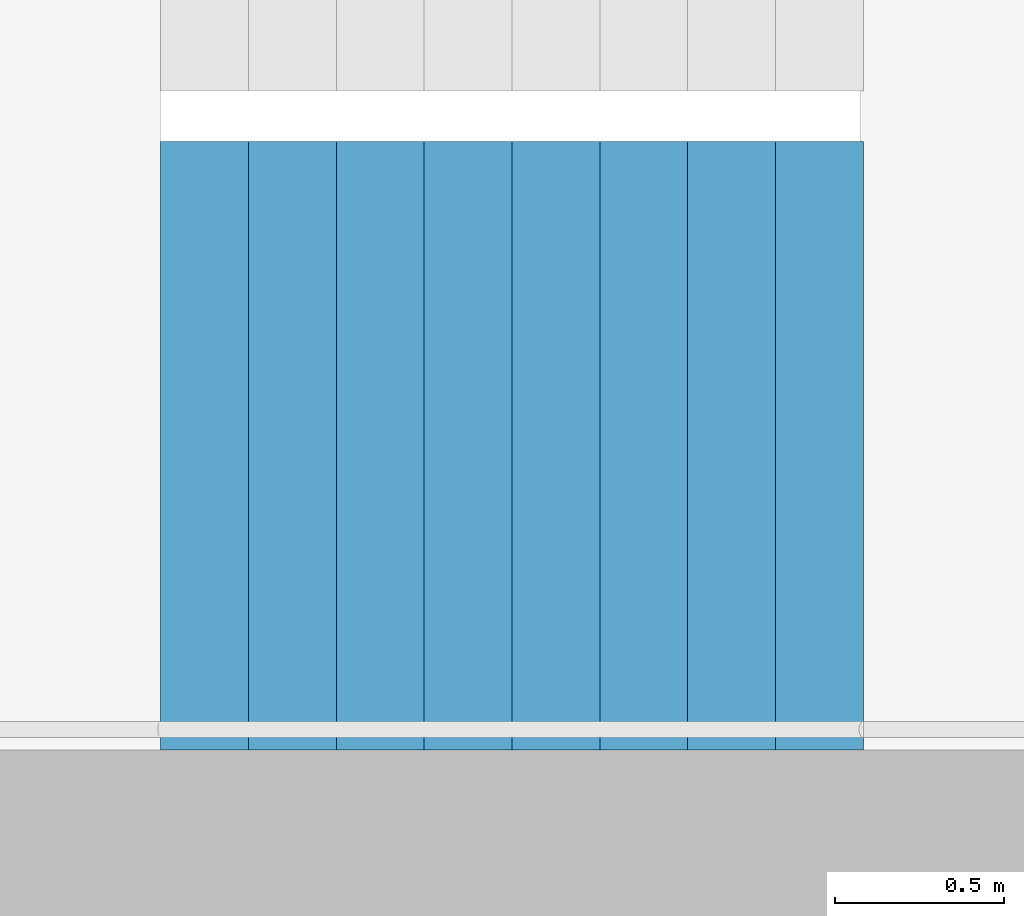
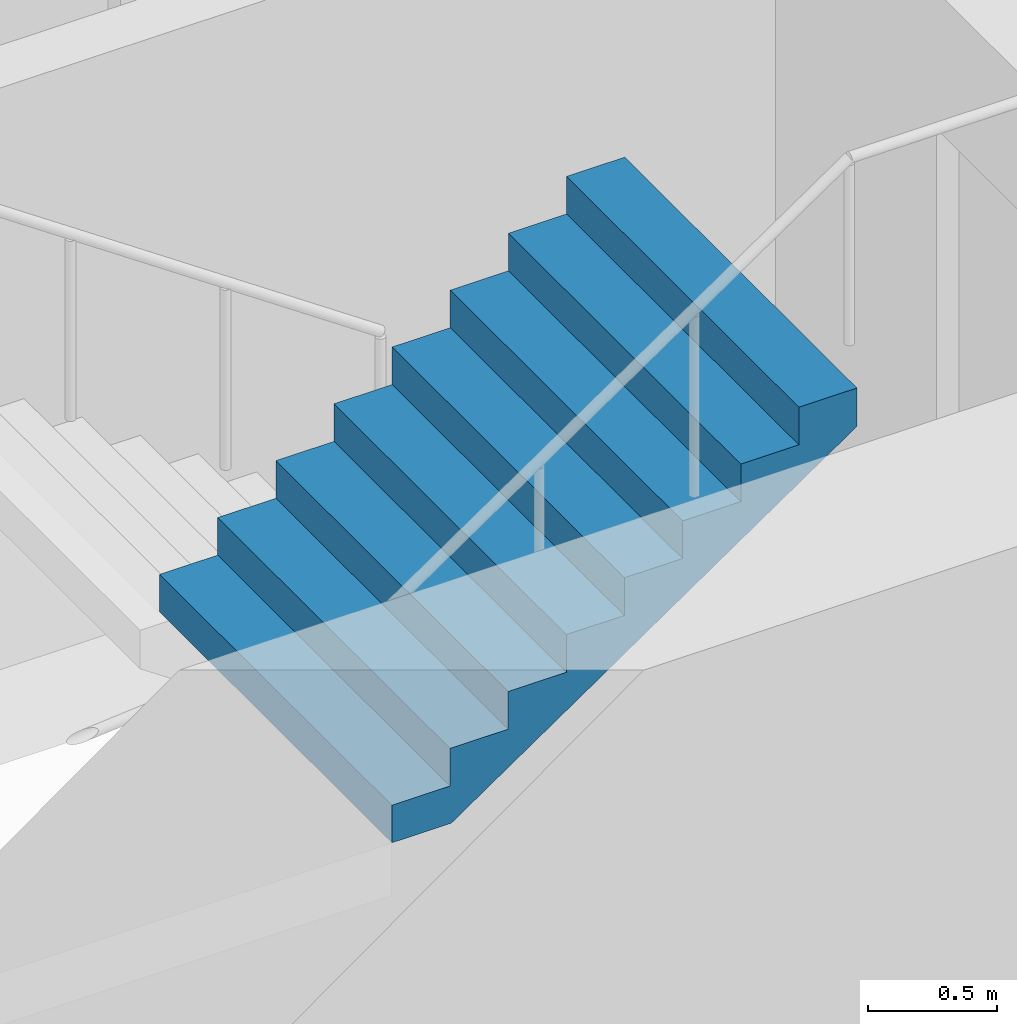
# One storey, part 19 of 27: 1 stair flight, 1 element without a shape of its own.
"""IFC4 building model written with IfcOpenShell, lengths in metres."""

from ifc_helpers import new_model, si_unit, direction, frame, origin, place, context, subcontext, project, spatial, triangles, material, type_object, element, aggregate, save


model = new_model("IFC4")

# Units and contexts
model_context = context("Model", 3, precision=1e-05, world=origin(), true_north=direction((0.0, 1.0)))
body_context = subcontext(model_context, "Body", "Model", "MODEL_VIEW")
ifc_project = project(units=[si_unit("LENGTHUNIT", "METRE"), si_unit("AREAUNIT", "SQUARE_METRE"), si_unit("VOLUMEUNIT", "CUBIC_METRE"), si_unit("PLANEANGLEUNIT", "RADIAN"), si_unit("MASSUNIT", "GRAM", prefix="KILO")], contexts=[model_context])

# Site, building, storey
site_placement = place(None, origin())
site = spatial("IfcSite", under=ifc_project, at=site_placement, CompositionType="ELEMENT")
building_placement = place(site_placement, origin())
building = spatial("IfcBuilding", under=site, at=building_placement, Name="Hakoniwa Tower and Hamabe Station Hall", CompositionType="ELEMENT")
storey_placement = place(building_placement, frame((0.0, 0.0, 166.199951171875)))
storey = spatial("IfcBuildingStorey", under=building, at=storey_placement, Name="L47", CompositionType="ELEMENT", Elevation=166.199951171875)

# Stair, stair flight
ifc_material_1 = material(Name="Concrete C40", Category="concrete")
stair_type = type_object("IfcStairType", Name="ESCAPE STAIR 1800", PredefinedType="HALF_TURN_STAIR", material=ifc_material_1)
stair_placement = place(storey_placement, origin())
stair = element("IfcStair", 1, at=stair_placement, inside=storey, type_object=stair_type, Name="Escape stair ST-2 L47", PredefinedType="HALF_TURN_STAIR")
ifc_material_2 = material(Name="Concrete C40", Category="concrete")
stair_flight_type = type_object("IfcStairFlightType", Name="STAIR FLIGHT 1800", PredefinedType="STRAIGHT", material=ifc_material_2)
stair_flight_placement = place(storey_placement, frame((-25.47998046875, -6.60009765625, 1.60009765625), z_axis=(0.0, 0.0, 1.0), x_axis=(1.0, 0.0, 0.0)))
stair_flight = element("IfcStairFlight", 2, at=stair_flight_placement, type_object=stair_flight_type, Name="ST-2 flight 2", NumberOfRisers=9, NumberOfTreads=8, PredefinedType="STRAIGHT", RiserHeight=0.177777778, TreadLength=0.26, context=body_context, shape_type="Tessellation", body=[
    triangles([(0.0, 0.89990234375, 0.0), (0.260009765625, 0.89990234375, 0.0), (0.265625, 0.89990234375, 0.0), (0.52001953125, 0.89990234375, 0.174072265625), (0.780029296875, 0.89990234375, 0.351806640625), (1.0400390625, 0.89990234375, 0.529541015625), (1.300048828125, 0.89990234375, 0.707275390625), (1.56005859375, 0.89990234375, 0.885009765625), (1.820068359375, 0.89990234375, 1.062744140625), (2.080078125, 0.89990234375, 1.24072265625), (2.080078125, 0.89990234375, 1.422119140625), (1.820068359375, 0.89990234375, 1.422119140625), (1.820068359375, 0.89990234375, 1.244384765625), (1.56005859375, 0.89990234375, 1.244384765625), (1.56005859375, 0.89990234375, 1.066650390625), (1.300048828125, 0.89990234375, 1.066650390625), (1.300048828125, 0.89990234375, 0.888916015625), (1.0400390625, 0.89990234375, 0.888916015625), (1.0400390625, 0.89990234375, 0.711181640625), (0.780029296875, 0.89990234375, 0.711181640625), (0.780029296875, 0.89990234375, 0.533447265625), (0.52001953125, 0.89990234375, 0.533447265625), (0.52001953125, 0.89990234375, 0.35546875), (0.265625, 0.89990234375, 0.35546875), (0.260009765625, 0.89990234375, 0.35546875), (0.260009765625, 0.89990234375, 0.177734375), (0.0, 0.89990234375, 0.177734375), (0.0, 0.06005859375, 0.0), (0.260009765625, 0.06005859375, 0.0), (0.265625, 0.06005859375, 0.0), (0.52001953125, 0.06005859375, 0.174072265625), (0.780029296875, 0.06005859375, 0.351806640625), (1.0400390625, 0.06005859375, 0.529541015625), (1.300048828125, 0.06005859375, 0.707275390625), (1.56005859375, 0.06005859375, 0.885009765625), (1.820068359375, 0.06005859375, 1.062744140625), (2.080078125, 0.06005859375, 1.24072265625), (2.080078125, 0.06005859375, 1.422119140625), (1.820068359375, 0.06005859375, 1.422119140625), (1.820068359375, 0.06005859375, 1.244384765625), (1.56005859375, 0.06005859375, 1.244384765625), (1.56005859375, 0.06005859375, 1.066650390625), (1.300048828125, 0.06005859375, 1.066650390625), (1.300048828125, 0.06005859375, 0.888916015625), (1.0400390625, 0.06005859375, 0.888916015625), (1.0400390625, 0.06005859375, 0.711181640625), (0.780029296875, 0.06005859375, 0.711181640625), (0.780029296875, 0.06005859375, 0.533447265625), (0.52001953125, 0.06005859375, 0.533447265625), (0.52001953125, 0.06005859375, 0.35546875), (0.265625, 0.06005859375, 0.35546875), (0.260009765625, 0.06005859375, 0.35546875), (0.260009765625, 0.06005859375, 0.177734375), (0.0, 0.06005859375, 0.177734375), (0.0, 0.04296875, 0.0), (0.260009765625, 0.04296875, 0.0), (0.265625, 0.04296875, 0.0), (0.52001953125, 0.04296875, 0.174072265625), (0.780029296875, 0.04296875, 0.351806640625), (1.0400390625, 0.04296875, 0.529541015625), (1.300048828125, 0.04296875, 0.707275390625), (1.56005859375, 0.04296875, 0.885009765625), (1.820068359375, 0.04296875, 1.062744140625), (2.080078125, 0.04296875, 1.24072265625), (2.080078125, 0.04296875, 1.422119140625), (1.820068359375, 0.04296875, 1.422119140625), (1.820068359375, 0.04296875, 1.244384765625), (1.56005859375, 0.04296875, 1.244384765625), (1.56005859375, 0.04296875, 1.066650390625), (1.300048828125, 0.04296875, 1.066650390625), (1.300048828125, 0.04296875, 0.888916015625), (1.0400390625, 0.04296875, 0.888916015625), (1.0400390625, 0.04296875, 0.711181640625), (0.780029296875, 0.04296875, 0.711181640625), (0.780029296875, 0.04296875, 0.533447265625), (0.52001953125, 0.04296875, 0.533447265625), (0.52001953125, 0.04296875, 0.35546875), (0.265625, 0.04296875, 0.35546875), (0.260009765625, 0.04296875, 0.35546875), (0.260009765625, 0.04296875, 0.177734375), (0.0, 0.04296875, 0.177734375), (0.0, 0.025634765625, 0.0), (0.260009765625, 0.025634765625, 0.0), (0.265625, 0.025634765625, 0.0), (0.52001953125, 0.025634765625, 0.174072265625), (0.780029296875, 0.025634765625, 0.351806640625), (1.0400390625, 0.025634765625, 0.529541015625), (1.300048828125, 0.025634765625, 0.707275390625), (1.56005859375, 0.025634765625, 0.885009765625), (1.820068359375, 0.025634765625, 1.062744140625), (2.080078125, 0.025634765625, 1.24072265625), (2.080078125, 0.025634765625, 1.422119140625), (1.820068359375, 0.025634765625, 1.422119140625), (1.820068359375, 0.025634765625, 1.244384765625), (1.56005859375, 0.025634765625, 1.244384765625), (1.56005859375, 0.025634765625, 1.066650390625), (1.300048828125, 0.025634765625, 1.066650390625), (1.300048828125, 0.025634765625, 0.888916015625), (1.0400390625, 0.025634765625, 0.888916015625), (1.0400390625, 0.025634765625, 0.711181640625), (0.780029296875, 0.025634765625, 0.711181640625), (0.780029296875, 0.025634765625, 0.533447265625), (0.52001953125, 0.025634765625, 0.533447265625), (0.52001953125, 0.025634765625, 0.35546875), (0.265625, 0.025634765625, 0.35546875), (0.260009765625, 0.025634765625, 0.35546875), (0.260009765625, 0.025634765625, 0.177734375), (0.0, 0.025634765625, 0.177734375), (0.0, 0.008544921875, 0.0), (0.260009765625, 0.008544921875, 0.0), (0.265625, 0.008544921875, 0.0), (0.52001953125, 0.008544921875, 0.174072265625), (0.780029296875, 0.008544921875, 0.351806640625), (1.0400390625, 0.008544921875, 0.529541015625), (1.300048828125, 0.008544921875, 0.707275390625), (1.56005859375, 0.008544921875, 0.885009765625), (1.820068359375, 0.008544921875, 1.062744140625), (2.080078125, 0.008544921875, 1.24072265625), (2.080078125, 0.008544921875, 1.422119140625), (1.820068359375, 0.008544921875, 1.422119140625), (1.820068359375, 0.008544921875, 1.244384765625), (1.56005859375, 0.008544921875, 1.244384765625), (1.56005859375, 0.008544921875, 1.066650390625), (1.300048828125, 0.008544921875, 1.066650390625), (1.300048828125, 0.008544921875, 0.888916015625), (1.0400390625, 0.008544921875, 0.888916015625), (1.0400390625, 0.008544921875, 0.711181640625), (0.780029296875, 0.008544921875, 0.711181640625), (0.780029296875, 0.008544921875, 0.533447265625), (0.52001953125, 0.008544921875, 0.533447265625), (0.52001953125, 0.008544921875, 0.35546875), (0.265625, 0.008544921875, 0.35546875), (0.260009765625, 0.008544921875, 0.35546875), (0.260009765625, 0.008544921875, 0.177734375), (0.0, 0.008544921875, 0.177734375), (0.0, -0.008544921875, 0.0), (0.260009765625, -0.008544921875, 0.0), (0.265625, -0.008544921875, 0.0), (0.52001953125, -0.008544921875, 0.174072265625), (0.780029296875, -0.008544921875, 0.351806640625), (1.0400390625, -0.008544921875, 0.529541015625), (1.300048828125, -0.008544921875, 0.707275390625), (1.56005859375, -0.008544921875, 0.885009765625), (1.820068359375, -0.008544921875, 1.062744140625), (2.080078125, -0.008544921875, 1.24072265625), (2.080078125, -0.008544921875, 1.422119140625), (1.820068359375, -0.008544921875, 1.422119140625), (1.820068359375, -0.008544921875, 1.244384765625), (1.56005859375, -0.008544921875, 1.244384765625), (1.56005859375, -0.008544921875, 1.066650390625), (1.300048828125, -0.008544921875, 1.066650390625), (1.300048828125, -0.008544921875, 0.888916015625), (1.0400390625, -0.008544921875, 0.888916015625), (1.0400390625, -0.008544921875, 0.711181640625), (0.780029296875, -0.008544921875, 0.711181640625), (0.780029296875, -0.008544921875, 0.533447265625), (0.52001953125, -0.008544921875, 0.533447265625), (0.52001953125, -0.008544921875, 0.35546875), (0.265625, -0.008544921875, 0.35546875), (0.260009765625, -0.008544921875, 0.35546875), (0.260009765625, -0.008544921875, 0.177734375), (0.0, -0.008544921875, 0.177734375), (0.0, -0.025634765625, 0.0), (0.260009765625, -0.025634765625, 0.0), (0.265625, -0.025634765625, 0.0), (0.52001953125, -0.025634765625, 0.174072265625), (0.780029296875, -0.025634765625, 0.351806640625), (1.0400390625, -0.025634765625, 0.529541015625), (1.300048828125, -0.025634765625, 0.707275390625), (1.56005859375, -0.025634765625, 0.885009765625), (1.820068359375, -0.025634765625, 1.062744140625), (2.080078125, -0.025634765625, 1.24072265625), (2.080078125, -0.025634765625, 1.422119140625), (1.820068359375, -0.025634765625, 1.422119140625), (1.820068359375, -0.025634765625, 1.244384765625), (1.56005859375, -0.025634765625, 1.244384765625), (1.56005859375, -0.025634765625, 1.066650390625), (1.300048828125, -0.025634765625, 1.066650390625), (1.300048828125, -0.025634765625, 0.888916015625), (1.0400390625, -0.025634765625, 0.888916015625), (1.0400390625, -0.025634765625, 0.711181640625), (0.780029296875, -0.025634765625, 0.711181640625), (0.780029296875, -0.025634765625, 0.533447265625), (0.52001953125, -0.025634765625, 0.533447265625), (0.52001953125, -0.025634765625, 0.35546875), (0.265625, -0.025634765625, 0.35546875), (0.260009765625, -0.025634765625, 0.35546875), (0.260009765625, -0.025634765625, 0.177734375), (0.0, -0.025634765625, 0.177734375), (0.0, -0.04296875, 0.0), (0.260009765625, -0.04296875, 0.0), (0.265625, -0.04296875, 0.0), (0.52001953125, -0.04296875, 0.174072265625), (0.780029296875, -0.04296875, 0.351806640625), (1.0400390625, -0.04296875, 0.529541015625), (1.300048828125, -0.04296875, 0.707275390625), (1.56005859375, -0.04296875, 0.885009765625), (1.820068359375, -0.04296875, 1.062744140625), (2.080078125, -0.04296875, 1.24072265625), (2.080078125, -0.04296875, 1.422119140625), (1.820068359375, -0.04296875, 1.422119140625), (1.820068359375, -0.04296875, 1.244384765625), (1.56005859375, -0.04296875, 1.244384765625), (1.56005859375, -0.04296875, 1.066650390625), (1.300048828125, -0.04296875, 1.066650390625), (1.300048828125, -0.04296875, 0.888916015625), (1.0400390625, -0.04296875, 0.888916015625), (1.0400390625, -0.04296875, 0.711181640625), (0.780029296875, -0.04296875, 0.711181640625), (0.780029296875, -0.04296875, 0.533447265625), (0.52001953125, -0.04296875, 0.533447265625), (0.52001953125, -0.04296875, 0.35546875), (0.265625, -0.04296875, 0.35546875), (0.260009765625, -0.04296875, 0.35546875), (0.260009765625, -0.04296875, 0.177734375), (0.0, -0.04296875, 0.177734375), (0.0, -0.06005859375, 0.0), (0.260009765625, -0.06005859375, 0.0), (0.265625, -0.06005859375, 0.0), (0.52001953125, -0.06005859375, 0.174072265625), (0.780029296875, -0.06005859375, 0.351806640625), (1.0400390625, -0.06005859375, 0.529541015625), (1.300048828125, -0.06005859375, 0.707275390625), (1.56005859375, -0.06005859375, 0.885009765625), (1.820068359375, -0.06005859375, 1.062744140625), (2.080078125, -0.06005859375, 1.24072265625), (2.080078125, -0.06005859375, 1.422119140625), (1.820068359375, -0.06005859375, 1.422119140625), (1.820068359375, -0.06005859375, 1.244384765625), (1.56005859375, -0.06005859375, 1.244384765625), (1.56005859375, -0.06005859375, 1.066650390625), (1.300048828125, -0.06005859375, 1.066650390625), (1.300048828125, -0.06005859375, 0.888916015625), (1.0400390625, -0.06005859375, 0.888916015625), (1.0400390625, -0.06005859375, 0.711181640625), (0.780029296875, -0.06005859375, 0.711181640625), (0.780029296875, -0.06005859375, 0.533447265625), (0.52001953125, -0.06005859375, 0.533447265625), (0.52001953125, -0.06005859375, 0.35546875), (0.265625, -0.06005859375, 0.35546875), (0.260009765625, -0.06005859375, 0.35546875), (0.260009765625, -0.06005859375, 0.177734375), (0.0, -0.06005859375, 0.177734375), (0.0, -0.89990234375, 0.0), (0.260009765625, -0.89990234375, 0.0), (0.265625, -0.89990234375, 0.0), (0.52001953125, -0.89990234375, 0.174072265625), (0.780029296875, -0.89990234375, 0.351806640625), (1.0400390625, -0.89990234375, 0.529541015625), (1.300048828125, -0.89990234375, 0.707275390625), (1.56005859375, -0.89990234375, 0.885009765625), (1.820068359375, -0.89990234375, 1.062744140625), (2.080078125, -0.89990234375, 1.24072265625), (2.080078125, -0.89990234375, 1.422119140625), (1.820068359375, -0.89990234375, 1.422119140625), (1.820068359375, -0.89990234375, 1.244384765625), (1.56005859375, -0.89990234375, 1.244384765625), (1.56005859375, -0.89990234375, 1.066650390625), (1.300048828125, -0.89990234375, 1.066650390625), (1.300048828125, -0.89990234375, 0.888916015625), (1.0400390625, -0.89990234375, 0.888916015625), (1.0400390625, -0.89990234375, 0.711181640625), (0.780029296875, -0.89990234375, 0.711181640625), (0.780029296875, -0.89990234375, 0.533447265625), (0.52001953125, -0.89990234375, 0.533447265625), (0.52001953125, -0.89990234375, 0.35546875), (0.265625, -0.89990234375, 0.35546875), (0.260009765625, -0.89990234375, 0.35546875), (0.260009765625, -0.89990234375, 0.177734375), (0.0, -0.89990234375, 0.177734375)], [[2, 27, 26], [245, 269, 270], [2, 1, 27], [245, 270, 244], [3, 25, 24], [246, 267, 268], [3, 26, 25], [246, 268, 269], [3, 2, 26], [246, 269, 245], [4, 24, 23], [247, 266, 267], [4, 3, 24], [247, 267, 246], [5, 22, 21], [248, 264, 265], [5, 23, 22], [248, 265, 266], [5, 4, 23], [248, 266, 247], [6, 20, 19], [249, 262, 263], [6, 21, 20], [249, 263, 264], [6, 5, 21], [249, 264, 248], [7, 18, 17], [250, 260, 261], [7, 19, 18], [250, 261, 262], [7, 6, 19], [250, 262, 249], [8, 16, 15], [251, 258, 259], [8, 17, 16], [251, 259, 260], [8, 7, 17], [251, 260, 250], [9, 14, 13], [252, 256, 257], [9, 15, 14], [252, 257, 258], [9, 8, 15], [252, 258, 251], [10, 12, 11], [253, 254, 255], [10, 13, 12], [253, 255, 256], [10, 9, 13], [253, 256, 252], [1, 2, 29], [1, 29, 28], [28, 29, 56], [28, 56, 55], [55, 56, 83], [55, 83, 82], [82, 83, 110], [82, 110, 109], [109, 110, 137], [109, 137, 136], [136, 137, 164], [136, 164, 163], [163, 164, 191], [163, 191, 190], [190, 191, 218], [190, 218, 217], [217, 218, 245], [217, 245, 244], [2, 3, 30], [2, 30, 29], [29, 30, 57], [29, 57, 56], [56, 57, 84], [56, 84, 83], [83, 84, 111], [83, 111, 110], [110, 111, 138], [110, 138, 137], [137, 138, 165], [137, 165, 164], [164, 165, 192], [164, 192, 191], [191, 192, 219], [191, 219, 218], [218, 219, 246], [218, 246, 245], [3, 4, 31], [3, 31, 30], [30, 31, 58], [30, 58, 57], [57, 58, 85], [57, 85, 84], [84, 85, 112], [84, 112, 111], [111, 112, 139], [111, 139, 138], [138, 139, 166], [138, 166, 165], [165, 166, 193], [165, 193, 192], [192, 193, 220], [192, 220, 219], [219, 220, 247], [219, 247, 246], [4, 5, 32], [4, 32, 31], [31, 32, 59], [31, 59, 58], [58, 59, 86], [58, 86, 85], [85, 86, 113], [85, 113, 112], [112, 113, 140], [112, 140, 139], [139, 140, 167], [139, 167, 166], [166, 167, 194], [166, 194, 193], [193, 194, 221], [193, 221, 220], [220, 221, 248], [220, 248, 247], [5, 6, 33], [5, 33, 32], [32, 33, 60], [32, 60, 59], [59, 60, 87], [59, 87, 86], [86, 87, 114], [86, 114, 113], [113, 114, 141], [113, 141, 140], [140, 141, 168], [140, 168, 167], [167, 168, 195], [167, 195, 194], [194, 195, 222], [194, 222, 221], [221, 222, 249], [221, 249, 248], [6, 7, 34], [6, 34, 33], [33, 34, 61], [33, 61, 60], [60, 61, 88], [60, 88, 87], [87, 88, 115], [87, 115, 114], [114, 115, 142], [114, 142, 141], [141, 142, 169], [141, 169, 168], [168, 169, 196], [168, 196, 195], [195, 196, 223], [195, 223, 222], [222, 223, 250], [222, 250, 249], [7, 8, 35], [7, 35, 34], [34, 35, 62], [34, 62, 61], [61, 62, 89], [61, 89, 88], [88, 89, 116], [88, 116, 115], [115, 116, 143], [115, 143, 142], [142, 143, 170], [142, 170, 169], [169, 170, 197], [169, 197, 196], [196, 197, 224], [196, 224, 223], [223, 224, 251], [223, 251, 250], [8, 9, 36], [8, 36, 35], [35, 36, 63], [35, 63, 62], [62, 63, 90], [62, 90, 89], [89, 90, 117], [89, 117, 116], [116, 117, 144], [116, 144, 143], [143, 144, 171], [143, 171, 170], [170, 171, 198], [170, 198, 197], [197, 198, 225], [197, 225, 224], [224, 225, 252], [224, 252, 251], [9, 10, 37], [9, 37, 36], [36, 37, 64], [36, 64, 63], [63, 64, 91], [63, 91, 90], [90, 91, 118], [90, 118, 117], [117, 118, 145], [117, 145, 144], [144, 145, 172], [144, 172, 171], [171, 172, 199], [171, 199, 198], [198, 199, 226], [198, 226, 225], [225, 226, 253], [225, 253, 252], [10, 11, 38], [10, 38, 37], [37, 38, 65], [37, 65, 64], [64, 65, 92], [64, 92, 91], [91, 92, 119], [91, 119, 118], [118, 119, 146], [118, 146, 145], [145, 146, 173], [145, 173, 172], [172, 173, 200], [172, 200, 199], [199, 200, 227], [199, 227, 226], [226, 227, 254], [226, 254, 253], [11, 12, 39], [11, 39, 38], [38, 39, 66], [38, 66, 65], [65, 66, 93], [65, 93, 92], [92, 93, 120], [92, 120, 119], [119, 120, 147], [119, 147, 146], [146, 147, 174], [146, 174, 173], [173, 174, 201], [173, 201, 200], [200, 201, 228], [200, 228, 227], [227, 228, 255], [227, 255, 254], [12, 13, 40], [12, 40, 39], [39, 40, 67], [39, 67, 66], [66, 67, 94], [66, 94, 93], [93, 94, 121], [93, 121, 120], [120, 121, 148], [120, 148, 147], [147, 148, 175], [147, 175, 174], [174, 175, 202], [174, 202, 201], [201, 202, 229], [201, 229, 228], [228, 229, 256], [228, 256, 255], [13, 14, 41], [13, 41, 40], [40, 41, 68], [40, 68, 67], [67, 68, 95], [67, 95, 94], [94, 95, 122], [94, 122, 121], [121, 122, 149], [121, 149, 148], [148, 149, 176], [148, 176, 175], [175, 176, 203], [175, 203, 202], [202, 203, 230], [202, 230, 229], [229, 230, 257], [229, 257, 256], [14, 15, 42], [14, 42, 41], [41, 42, 69], [41, 69, 68], [68, 69, 96], [68, 96, 95], [95, 96, 123], [95, 123, 122], [122, 123, 150], [122, 150, 149], [149, 150, 177], [149, 177, 176], [176, 177, 204], [176, 204, 203], [203, 204, 231], [203, 231, 230], [230, 231, 258], [230, 258, 257], [15, 16, 43], [15, 43, 42], [42, 43, 70], [42, 70, 69], [69, 70, 97], [69, 97, 96], [96, 97, 124], [96, 124, 123], [123, 124, 151], [123, 151, 150], [150, 151, 178], [150, 178, 177], [177, 178, 205], [177, 205, 204], [204, 205, 232], [204, 232, 231], [231, 232, 259], [231, 259, 258], [16, 17, 44], [16, 44, 43], [43, 44, 71], [43, 71, 70], [70, 71, 98], [70, 98, 97], [97, 98, 125], [97, 125, 124], [124, 125, 152], [124, 152, 151], [151, 152, 179], [151, 179, 178], [178, 179, 206], [178, 206, 205], [205, 206, 233], [205, 233, 232], [232, 233, 260], [232, 260, 259], [17, 18, 45], [17, 45, 44], [44, 45, 72], [44, 72, 71], [71, 72, 99], [71, 99, 98], [98, 99, 126], [98, 126, 125], [125, 126, 153], [125, 153, 152], [152, 153, 180], [152, 180, 179], [179, 180, 207], [179, 207, 206], [206, 207, 234], [206, 234, 233], [233, 234, 261], [233, 261, 260], [18, 19, 46], [18, 46, 45], [45, 46, 73], [45, 73, 72], [72, 73, 100], [72, 100, 99], [99, 100, 127], [99, 127, 126], [126, 127, 154], [126, 154, 153], [153, 154, 181], [153, 181, 180], [180, 181, 208], [180, 208, 207], [207, 208, 235], [207, 235, 234], [234, 235, 262], [234, 262, 261], [19, 20, 47], [19, 47, 46], [46, 47, 74], [46, 74, 73], [73, 74, 101], [73, 101, 100], [100, 101, 128], [100, 128, 127], [127, 128, 155], [127, 155, 154], [154, 155, 182], [154, 182, 181], [181, 182, 209], [181, 209, 208], [208, 209, 236], [208, 236, 235], [235, 236, 263], [235, 263, 262], [20, 21, 48], [20, 48, 47], [47, 48, 75], [47, 75, 74], [74, 75, 102], [74, 102, 101], [101, 102, 129], [101, 129, 128], [128, 129, 156], [128, 156, 155], [155, 156, 183], [155, 183, 182], [182, 183, 210], [182, 210, 209], [209, 210, 237], [209, 237, 236], [236, 237, 264], [236, 264, 263], [21, 22, 49], [21, 49, 48], [48, 49, 76], [48, 76, 75], [75, 76, 103], [75, 103, 102], [102, 103, 130], [102, 130, 129], [129, 130, 157], [129, 157, 156], [156, 157, 184], [156, 184, 183], [183, 184, 211], [183, 211, 210], [210, 211, 238], [210, 238, 237], [237, 238, 265], [237, 265, 264], [22, 23, 50], [22, 50, 49], [49, 50, 77], [49, 77, 76], [76, 77, 104], [76, 104, 103], [103, 104, 131], [103, 131, 130], [130, 131, 158], [130, 158, 157], [157, 158, 185], [157, 185, 184], [184, 185, 212], [184, 212, 211], [211, 212, 239], [211, 239, 238], [238, 239, 266], [238, 266, 265], [23, 24, 51], [23, 51, 50], [50, 51, 78], [50, 78, 77], [77, 78, 105], [77, 105, 104], [104, 105, 132], [104, 132, 131], [131, 132, 159], [131, 159, 158], [158, 159, 186], [158, 186, 185], [185, 186, 213], [185, 213, 212], [212, 213, 240], [212, 240, 239], [239, 240, 267], [239, 267, 266], [24, 25, 52], [24, 52, 51], [51, 52, 79], [51, 79, 78], [78, 79, 106], [78, 106, 105], [105, 106, 133], [105, 133, 132], [132, 133, 160], [132, 160, 159], [159, 160, 187], [159, 187, 186], [186, 187, 214], [186, 214, 213], [213, 214, 241], [213, 241, 240], [240, 241, 268], [240, 268, 267], [25, 26, 53], [25, 53, 52], [52, 53, 80], [52, 80, 79], [79, 80, 107], [79, 107, 106], [106, 107, 134], [106, 134, 133], [133, 134, 161], [133, 161, 160], [160, 161, 188], [160, 188, 187], [187, 188, 215], [187, 215, 214], [214, 215, 242], [214, 242, 241], [241, 242, 269], [241, 269, 268], [26, 27, 54], [26, 54, 53], [53, 54, 81], [53, 81, 80], [80, 81, 108], [80, 108, 107], [107, 108, 135], [107, 135, 134], [134, 135, 162], [134, 162, 161], [161, 162, 189], [161, 189, 188], [188, 189, 216], [188, 216, 215], [215, 216, 243], [215, 243, 242], [242, 243, 270], [242, 270, 269], [27, 1, 28], [27, 28, 54], [54, 28, 55], [54, 55, 81], [81, 55, 82], [81, 82, 108], [108, 82, 109], [108, 109, 135], [135, 109, 136], [135, 136, 162], [162, 136, 163], [162, 163, 189], [189, 163, 190], [189, 190, 216], [216, 190, 217], [216, 217, 243], [243, 217, 244], [243, 244, 270]], closed=True),
])
aggregate(stair, [stair_flight])

save(model, "model.ifc")
